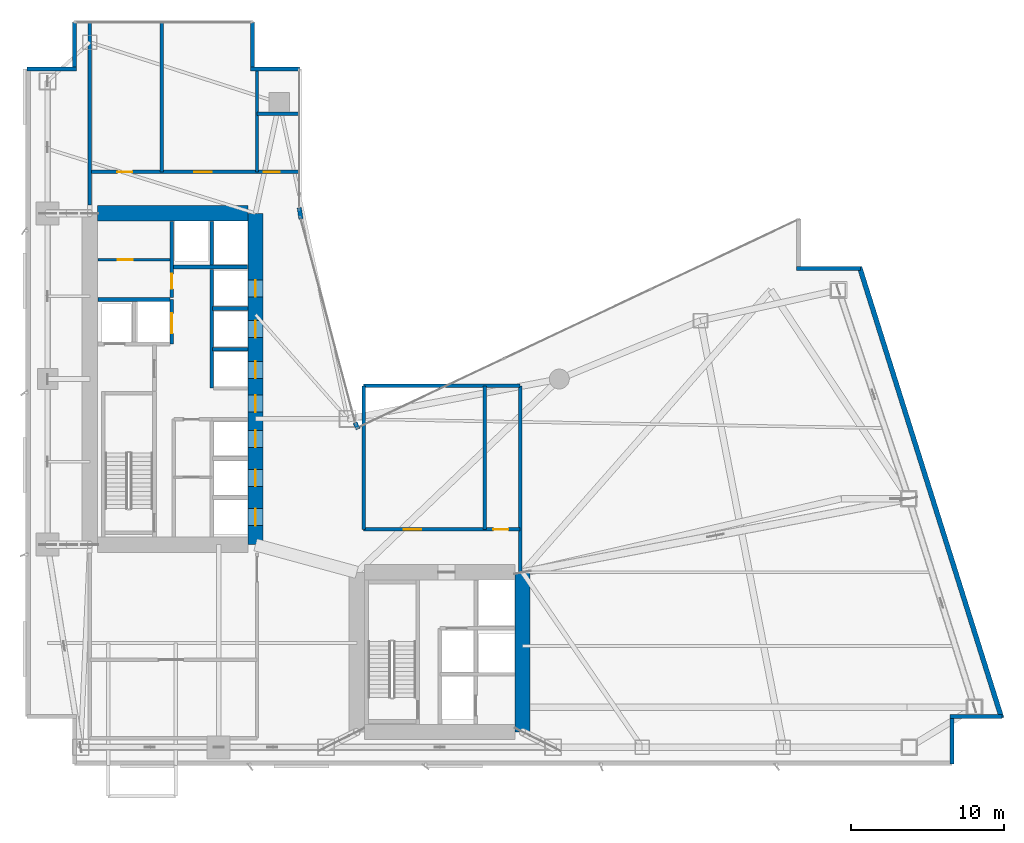
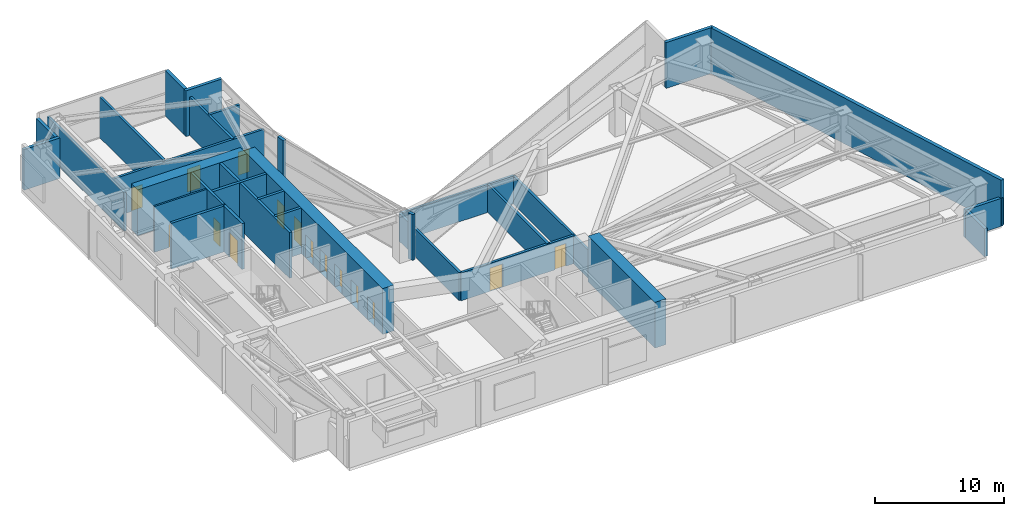
# One storey, part 15 of 18: 32 walls, 15 doors, 15 openings.
"""IFC4 building model written with IfcOpenShell, lengths in metres."""

from ifc_helpers import new_model, si_unit, direction, frame, frame_2d, origin, place, context, subcontext, project, spatial, rectangle, extrude, material, layer, layer_set, type_object, element, fill, save


model = new_model("IFC4")

# Units and contexts
model_context = context("Model", 3, precision=1e-05, world=origin(), true_north=direction((0.0, 1.0)))
body_context = subcontext(model_context, "Body", "Model", "MODEL_VIEW")
ifc_project = project(units=[si_unit("LENGTHUNIT", "METRE"), si_unit("AREAUNIT", "SQUARE_METRE"), si_unit("VOLUMEUNIT", "CUBIC_METRE"), si_unit("PLANEANGLEUNIT", "RADIAN"), si_unit("MASSUNIT", "GRAM", prefix="KILO")], contexts=[model_context])

# Site, building, storey
site_placement = place(None, origin())
site = spatial("IfcSite", under=ifc_project, at=site_placement, CompositionType="ELEMENT")
building_placement = place(site_placement, origin())
building = spatial("IfcBuilding", under=site, at=building_placement, Name="Calvorn Quay Hotel", CompositionType="ELEMENT")
storey_placement = place(building_placement, frame((0.0, 0.0, 92.60009765625)))
storey = spatial("IfcBuildingStorey", under=building, at=storey_placement, Name="L22", CompositionType="ELEMENT", Elevation=92.60009765625)

# Wall, openings, doors
ifc_material_1 = material(Name="Concrete C60", Category="concrete")
ifc_layer_1 = layer(ifc_material_1, 1.0)
ifc_layer_set_1 = layer_set([ifc_layer_1], Name="WL-CORE-1000")
wall_type_1 = type_object("IfcWallType", Name="WL-CORE-1000", PredefinedType="SHEAR", material=ifc_layer_set_1)
wall_1_placement = place(storey_placement, frame((15.0, 16.800048828125, 0.0), z_axis=(0.0, 0.0, 1.0), x_axis=(0.0, 1.0, 0.0)))
wall_1 = element("IfcWall", 1, at=wall_1_placement, inside=storey, type_object=wall_type_1, Name="West Core Shear Wall E (L22)", PredefinedType="SHEAR", context=body_context, shape_type="SweptSolid", body=[
    extrude(rectangle(XDim=21.599853515625, YDim=1.0, at=frame_2d((10.7998046875, 0.0))), origin(), (0.0, 0.0, 1.0), 4.349853515625),
])
opening_1_placement = place(wall_1_placement, frame((8.64990234375, 0.0, 0.0)))
opening_1 = element("IfcOpeningElement", 2, at=opening_1_placement, cuts=wall_1, Name="Opening D-L22-CW1", PredefinedType="OPENING", context=body_context, shape_type="SweptSolid", body=[
    extrude(rectangle(XDim=1.10009765625, YDim=2.199951171875, at=frame_2d((0.550048828125, 1.10009765625))), frame((0.0, 0.510009765625, 0.0), z_axis=(0.0, -1.0, 0.0), x_axis=(1.0, 0.0, 0.0)), (0.0, 0.0, 1.0), 1.02001953125),
])
opening_2_placement = place(wall_1_placement, frame((1.25, 0.0, 0.0)))
opening_2 = element("IfcOpeningElement", 3, at=opening_2_placement, cuts=wall_1, Name="Opening LD-L22-L1", PredefinedType="OPENING", context=body_context, shape_type="SweptSolid", body=[
    extrude(rectangle(XDim=1.10009765625, YDim=2.199951171875, at=frame_2d((0.550048828125, 1.10009765625))), frame((0.0, 0.510009765625, 0.0), z_axis=(0.0, -1.0, 0.0), x_axis=(1.0, 0.0, 0.0)), (0.0, 0.0, 1.0), 1.02001953125),
])
opening_3_placement = place(wall_1_placement, frame((3.800048828125, 0.0, 0.0)))
opening_3 = element("IfcOpeningElement", 4, at=opening_3_placement, cuts=wall_1, Name="Opening LD-L22-L2", PredefinedType="OPENING", context=body_context, shape_type="SweptSolid", body=[
    extrude(rectangle(XDim=1.10009765625, YDim=2.199951171875, at=frame_2d((0.550048828125, 1.10009765625))), frame((0.0, 0.510009765625, 0.0), z_axis=(0.0, -1.0, 0.0), x_axis=(1.0, 0.0, 0.0)), (0.0, 0.0, 1.0), 1.02001953125),
])
opening_4_placement = place(wall_1_placement, frame((6.35009765625, 0.0, 0.0)))
opening_4 = element("IfcOpeningElement", 5, at=opening_4_placement, cuts=wall_1, Name="Opening LD-L22-L3", PredefinedType="OPENING", context=body_context, shape_type="SweptSolid", body=[
    extrude(rectangle(XDim=1.10009765625, YDim=2.199951171875, at=frame_2d((0.550048828125, 1.10009765625))), frame((0.0, 0.510009765625, 0.0), z_axis=(0.0, -1.0, 0.0), x_axis=(1.0, 0.0, 0.0)), (0.0, 0.0, 1.0), 1.02001953125),
])
opening_5_placement = place(wall_1_placement, frame((10.85009765625, 0.0, 0.0)))
opening_5 = element("IfcOpeningElement", 6, at=opening_5_placement, cuts=wall_1, Name="Opening LD-L22-M1", PredefinedType="OPENING", context=body_context, shape_type="SweptSolid", body=[
    extrude(rectangle(XDim=1.10009765625, YDim=2.199951171875, at=frame_2d((0.550048828125, 1.10009765625))), frame((0.0, 0.510009765625, 0.0), z_axis=(0.0, -1.0, 0.0), x_axis=(1.0, 0.0, 0.0)), (0.0, 0.0, 1.0), 1.02001953125),
])
opening_6_placement = place(wall_1_placement, frame((13.5, 0.0, 0.0)))
opening_6 = element("IfcOpeningElement", 7, at=opening_6_placement, cuts=wall_1, Name="Opening LD-L22-M2", PredefinedType="OPENING", context=body_context, shape_type="SweptSolid", body=[
    extrude(rectangle(XDim=1.10009765625, YDim=2.199951171875, at=frame_2d((0.550048828125, 1.10009765625))), frame((0.0, 0.510009765625, 0.0), z_axis=(0.0, -1.0, 0.0), x_axis=(1.0, 0.0, 0.0)), (0.0, 0.0, 1.0), 1.02001953125),
])
opening_7_placement = place(wall_1_placement, frame((16.14990234375, 0.0, 0.0)))
opening_7 = element("IfcOpeningElement", 8, at=opening_7_placement, cuts=wall_1, Name="Opening LD-L22-M3", PredefinedType="OPENING", context=body_context, shape_type="SweptSolid", body=[
    extrude(rectangle(XDim=1.10009765625, YDim=2.199951171875, at=frame_2d((0.550048828125, 1.10009765625))), frame((0.0, 0.510009765625, 0.0), z_axis=(0.0, -1.0, 0.0), x_axis=(1.0, 0.0, 0.0)), (0.0, 0.0, 1.0), 1.02001953125),
])
ifc_material_2 = material(Name="Smoke-Sealed Steel Class A Fire Door", Category="steel")
door_type_1 = type_object("IfcDoorType", Name="DR-FFLOBBY-1100", OperationType="NOTDEFINED", PredefinedType="DOOR", material=ifc_material_2)
door_1_placement = place(opening_1_placement, origin())
door_1 = element("IfcDoor", 9, at=door_1_placement, inside=storey, type_object=door_type_1, Name="West Core Vestibule Fire Door (L22)", OperationType="SINGLE_SWING_LEFT", OverallHeight=2.199951171875, OverallWidth=1.10009765625, PredefinedType="DOOR", context=body_context, shape_type="SweptSolid", body=[
    extrude(rectangle(XDim=1.10009765625, YDim=2.199951171875, at=frame_2d((0.550048828125, 1.10009765625))), frame((0.0, 0.02490234375, 0.0), z_axis=(0.0, -1.0, 0.0), x_axis=(1.0, 0.0, 0.0)), (0.0, 0.0, 1.0), 0.050048828125),
])
fill(opening_1, door_1)
ifc_material_3 = material(Name="Brushed Stainless Steel Sliding Lift Landing Door", Category="steel")
door_type_2 = type_object("IfcDoorType", Name="DR-LIFT-PASS-1100", OperationType="NOTDEFINED", PredefinedType="DOOR", material=ifc_material_3)
door_2_placement = place(opening_2_placement, origin())
door_2 = element("IfcDoor", 10, at=door_2_placement, inside=storey, type_object=door_type_2, Name="Low-Rise Lift PL-L1 Landing Door (L22)", OperationType="DOUBLE_DOOR_SLIDING", OverallHeight=2.199951171875, OverallWidth=1.10009765625, PredefinedType="DOOR", context=body_context, shape_type="SweptSolid", body=[
    extrude(rectangle(XDim=1.10009765625, YDim=2.199951171875, at=frame_2d((0.550048828125, 1.10009765625))), frame((0.0, 0.02490234375, 0.0), z_axis=(0.0, -1.0, 0.0), x_axis=(1.0, 0.0, 0.0)), (0.0, 0.0, 1.0), 0.050048828125),
])
fill(opening_2, door_2)
door_3_placement = place(opening_3_placement, origin())
door_3 = element("IfcDoor", 11, at=door_3_placement, inside=storey, type_object=door_type_2, Name="Low-Rise Lift PL-L2 Landing Door (L22)", OperationType="DOUBLE_DOOR_SLIDING", OverallHeight=2.199951171875, OverallWidth=1.10009765625, PredefinedType="DOOR", context=body_context, shape_type="SweptSolid", body=[
    extrude(rectangle(XDim=1.10009765625, YDim=2.199951171875, at=frame_2d((0.550048828125, 1.10009765625))), frame((0.0, 0.02490234375, 0.0), z_axis=(0.0, -1.0, 0.0), x_axis=(1.0, 0.0, 0.0)), (0.0, 0.0, 1.0), 0.050048828125),
])
fill(opening_3, door_3)
door_4_placement = place(opening_4_placement, origin())
door_4 = element("IfcDoor", 12, at=door_4_placement, inside=storey, type_object=door_type_2, Name="Low-Rise Lift PL-L3 Landing Door (L22)", OperationType="DOUBLE_DOOR_SLIDING", OverallHeight=2.199951171875, OverallWidth=1.10009765625, PredefinedType="DOOR", context=body_context, shape_type="SweptSolid", body=[
    extrude(rectangle(XDim=1.10009765625, YDim=2.199951171875, at=frame_2d((0.550048828125, 1.10009765625))), frame((0.0, 0.02490234375, 0.0), z_axis=(0.0, -1.0, 0.0), x_axis=(1.0, 0.0, 0.0)), (0.0, 0.0, 1.0), 0.050048828125),
])
fill(opening_4, door_4)
door_5_placement = place(opening_5_placement, origin())
door_5 = element("IfcDoor", 13, at=door_5_placement, inside=storey, type_object=door_type_2, Name="Mid-Rise Lift PL-M1 Landing Door (L22)", OperationType="DOUBLE_DOOR_SLIDING", OverallHeight=2.199951171875, OverallWidth=1.10009765625, PredefinedType="DOOR", context=body_context, shape_type="SweptSolid", body=[
    extrude(rectangle(XDim=1.10009765625, YDim=2.199951171875, at=frame_2d((0.550048828125, 1.10009765625))), frame((0.0, 0.02490234375, 0.0), z_axis=(0.0, -1.0, 0.0), x_axis=(1.0, 0.0, 0.0)), (0.0, 0.0, 1.0), 0.050048828125),
])
fill(opening_5, door_5)
door_6_placement = place(opening_6_placement, origin())
door_6 = element("IfcDoor", 14, at=door_6_placement, inside=storey, type_object=door_type_2, Name="Mid-Rise Lift PL-M2 Landing Door (L22)", OperationType="DOUBLE_DOOR_SLIDING", OverallHeight=2.199951171875, OverallWidth=1.10009765625, PredefinedType="DOOR", context=body_context, shape_type="SweptSolid", body=[
    extrude(rectangle(XDim=1.10009765625, YDim=2.199951171875, at=frame_2d((0.550048828125, 1.10009765625))), frame((0.0, 0.02490234375, 0.0), z_axis=(0.0, -1.0, 0.0), x_axis=(1.0, 0.0, 0.0)), (0.0, 0.0, 1.0), 0.050048828125),
])
fill(opening_6, door_6)
door_7_placement = place(opening_7_placement, origin())
door_7 = element("IfcDoor", 15, at=door_7_placement, inside=storey, type_object=door_type_2, Name="Mid-Rise Lift PL-M3 Landing Door (L22)", OperationType="DOUBLE_DOOR_SLIDING", OverallHeight=2.199951171875, OverallWidth=1.10009765625, PredefinedType="DOOR", context=body_context, shape_type="SweptSolid", body=[
    extrude(rectangle(XDim=1.10009765625, YDim=2.199951171875, at=frame_2d((0.550048828125, 1.10009765625))), frame((0.0, 0.02490234375, 0.0), z_axis=(0.0, -1.0, 0.0), x_axis=(1.0, 0.0, 0.0)), (0.0, 0.0, 1.0), 0.050048828125),
])
fill(opening_7, door_7)

# Walls
wall_2_placement = place(storey_placement, frame((4.699951171875, 38.39990234375, 0.0), z_axis=(0.0, 0.0, 1.0), x_axis=(1.0, 0.0, 0.0)))
element("IfcWall", 16, at=wall_2_placement, inside=storey, type_object=wall_type_1, Name="West Core Shear Wall N (L22)", PredefinedType="SHEAR", context=body_context, shape_type="SweptSolid", body=[
    extrude(rectangle(XDim=9.800048828125, YDim=1.0, at=frame_2d((4.89990234375, 0.0))), origin(), (0.0, 0.0, 1.0), 4.349853515625),
])
wall_3_placement = place(storey_placement, frame((32.39990234375, 4.60009765625, 0.0), z_axis=(0.0, 0.0, 1.0), x_axis=(0.0, 1.0, 0.0)))
element("IfcWall", 17, at=wall_3_placement, inside=storey, type_object=wall_type_1, Name="East Core Shear Wall E (L22)", PredefinedType="SHEAR", context=body_context, shape_type="SweptSolid", body=[
    extrude(rectangle(XDim=10.39990234375, YDim=1.0, at=frame_2d((5.199951171875, 0.0))), origin(), (0.0, 0.0, 1.0), 4.349853515625),
])
ifc_material_4 = material(Name="Concrete C40", Category="concrete")
ifc_layer_2 = layer(ifc_material_4, 0.320068359375)
ifc_layer_set_2 = layer_set([ifc_layer_2], Name="WL-EXT-SPANDREL-320")
wall_type_2 = type_object("IfcWallType", Name="WL-EXT-SPANDREL-320", PredefinedType="SOLIDWALL", material=ifc_layer_set_2)
wall_4_placement = place(storey_placement, frame((21.679931640625, 24.340087890625, 0.0), z_axis=(0.0, 0.0, 1.0), x_axis=(-0.40758134973, 0.913168901875, 0.0)))
element("IfcWall", 18, at=wall_4_placement, inside=storey, type_object=wall_type_2, Name="Inner Court Corner Pier L22-ICJ1", PredefinedType="SOLIDWALL", context=body_context, shape_type="SweptSolid", body=[
    extrude(rectangle(XDim=0.470703125, YDim=0.280029296875, at=frame_2d((0.2353515625, 0.0))), origin(), (0.0, 0.0, 1.0), 4.349853515625),
])
wall_5_placement = place(storey_placement, frame((17.9619140625, 38.030029296875, 0.0), z_axis=(0.0, 0.0, 1.0), x_axis=(-0.15141125477, 0.988470855377, 0.0)))
element("IfcWall", 19, at=wall_5_placement, inside=storey, type_object=wall_type_2, Name="Inner Court Corner Pier L22-ICJ2", PredefinedType="SOLIDWALL", context=body_context, shape_type="SweptSolid", body=[
    extrude(rectangle(XDim=0.738525390625, YDim=0.280029296875, at=frame_2d((0.369140625, 0.0))), origin(), (0.0, 0.0, 1.0), 4.349853515625),
])
wall_6_placement = place(storey_placement, frame((60.39990234375, 2.52001953125, 0.0), z_axis=(0.0, 0.0, 1.0), x_axis=(0.0, 1.0, 0.0)))
element("IfcWall", 20, at=wall_6_placement, inside=storey, type_object=wall_type_2, Name="Notched Corner Spandrel L22-SE1", PredefinedType="SOLIDWALL", context=body_context, shape_type="SweptSolid", body=[
    extrude(rectangle(XDim=2.93994140625, YDim=0.280029296875, at=frame_2d((1.469970703125, 0.0))), origin(), (0.0, 0.0, 1.0), 2.64990234375),
])
wall_7_placement = place(storey_placement, frame((60.260009765625, 5.60009765625, 0.0), z_axis=(0.0, 0.0, 1.0), x_axis=(1.0, 0.0, 0.0)))
element("IfcWall", 21, at=wall_7_placement, inside=storey, type_object=wall_type_2, Name="Notched Corner Spandrel L22-SE2", PredefinedType="SOLIDWALL", context=body_context, shape_type="SweptSolid", body=[
    extrude(rectangle(XDim=3.3798828125, YDim=0.280029296875, at=frame_2d((1.68994140625, 0.0))), origin(), (0.0, 0.0, 1.0), 2.64990234375),
])
wall_8_placement = place(storey_placement, frame((54.43994140625, 34.800048828125, 0.0), z_axis=(0.0, 0.0, 1.0), x_axis=(-1.0, 0.0, 0.0)))
element("IfcWall", 22, at=wall_8_placement, inside=storey, type_object=wall_type_2, Name="Notched Corner Spandrel L22-NE1", PredefinedType="SOLIDWALL", context=body_context, shape_type="SweptSolid", body=[
    extrude(rectangle(XDim=4.179931640625, YDim=0.280029296875, at=frame_2d((2.08984375, 0.0))), origin(), (0.0, 0.0, 1.0), 4.349853515625),
])
wall_9_placement = place(storey_placement, frame((17.89990234375, 47.800048828125, 0.0), z_axis=(0.0, 0.0, 1.0), x_axis=(-1.0, 0.0, 0.0)))
element("IfcWall", 23, at=wall_9_placement, inside=storey, type_object=wall_type_2, Name="Notched Corner Spandrel L22-NWE1", PredefinedType="SOLIDWALL", context=body_context, shape_type="SweptSolid", body=[
    extrude(rectangle(XDim=3.239990234375, YDim=0.280029296875, at=frame_2d((1.6201171875, 0.0))), origin(), (0.0, 0.0, 1.0), 4.349853515625),
])
wall_10_placement = place(storey_placement, frame((14.800048828125, 47.93994140625, 0.0), z_axis=(0.0, 0.0, 1.0), x_axis=(0.0, 1.0, 0.0)))
element("IfcWall", 24, at=wall_10_placement, inside=storey, type_object=wall_type_2, Name="Notched Corner Spandrel L22-NWE2", PredefinedType="SOLIDWALL", context=body_context, shape_type="SweptSolid", body=[
    extrude(rectangle(XDim=2.93994140625, YDim=0.280029296875, at=frame_2d((1.469970703125, 0.0))), origin(), (0.0, 0.0, 1.0), 4.349853515625),
])
wall_11_placement = place(storey_placement, frame((3.199951171875, 50.8798828125, 0.0), z_axis=(0.0, 0.0, 1.0), x_axis=(0.0, -1.0, 0.0)))
element("IfcWall", 25, at=wall_11_placement, inside=storey, type_object=wall_type_2, Name="Notched Corner Spandrel L22-NW1", PredefinedType="SOLIDWALL", context=body_context, shape_type="SweptSolid", body=[
    extrude(rectangle(XDim=2.93994140625, YDim=0.280029296875, at=frame_2d((1.469970703125, 0.0))), origin(), (0.0, 0.0, 1.0), 3.849853515625),
])
wall_12_placement = place(storey_placement, frame((3.340087890625, 47.800048828125, 0.0), z_axis=(0.0, 0.0, 1.0), x_axis=(-1.0, 0.0, 0.0)))
element("IfcWall", 26, at=wall_12_placement, inside=storey, type_object=wall_type_2, Name="Notched Corner Spandrel L22-NW2", PredefinedType="SOLIDWALL", context=body_context, shape_type="SweptSolid", body=[
    extrude(rectangle(XDim=3.219970703125, YDim=0.280029296875, at=frame_2d((1.60986328125, 0.0))), origin(), (0.0, 0.0, 1.0), 3.849853515625),
])
wall_13_placement = place(storey_placement, frame((63.6298828125, 5.5048828125, 0.0), z_axis=(0.0, 0.0, 1.0), x_axis=(-0.300501856448, 0.953781229775, 0.0)))
element("IfcWall", 27, at=wall_13_placement, inside=storey, type_object=wall_type_2, Name="East Stepped Waterfront Exterior Wall (L22)", PredefinedType="SOLIDWALL", context=body_context, shape_type="SweptSolid", body=[
    extrude(rectangle(XDim=30.814453125, YDim=0.320068359375, at=frame_2d((15.4072265625, 0.0))), origin(), (0.0, 0.0, 1.0), 4.349853515625),
])

# Wall, opening, door
ifc_material_5 = material(Name="Double-Stud Acoustic Gypsum Partition")
ifc_layer_3 = layer(ifc_material_5, 0.159912109375)
ifc_layer_set_3 = layer_set([ifc_layer_3], Name="WL-INTERSUITE-160")
wall_type_3 = type_object("IfcWallType", Name="WL-INTERSUITE-160", PredefinedType="PARTITIONING", material=ifc_layer_set_3)
wall_14_placement = place(storey_placement, frame((4.719970703125, 35.3798828125, 0.0), z_axis=(0.0, 0.0, 1.0), x_axis=(1.0, 0.0, 0.0)))
wall_14 = element("IfcWall", 28, at=wall_14_placement, inside=storey, type_object=wall_type_3, Name="Partition Wall L22-WL-CWW-K-MID", PredefinedType="PARTITIONING", context=body_context, shape_type="SweptSolid", body=[
    extrude(rectangle(XDim=4.699951171875, YDim=0.159912109375, at=frame_2d((2.35009765625, 0.0))), origin(), (0.0, 0.0, 1.0), 4.349853515625),
])
opening_8_placement = place(wall_14_placement, frame((1.300048828125, 0.0, 0.0)))
opening_8 = element("IfcOpeningElement", 29, at=opening_8_placement, cuts=wall_14, Name="Opening D-L22-CK2", PredefinedType="OPENING", context=body_context, shape_type="SweptSolid", body=[
    extrude(rectangle(XDim=0.97998046875, YDim=2.14990234375, at=frame_2d((0.489990234375, 1.074951171875))), frame((0.0, 0.08984375, 0.0), z_axis=(0.0, -1.0, 0.0), x_axis=(1.0, 0.0, 0.0)), (0.0, 0.0, 1.0), 0.179931640625),
])
ifc_material_6 = material(Name="Painted Steel Housekeeping/Riser Fire Door", Category="steel")
door_type_3 = type_object("IfcDoorType", Name="DR-SERVICE-980", OperationType="NOTDEFINED", PredefinedType="DOOR", material=ifc_material_6)
door_8_placement = place(opening_8_placement, origin())
door_8 = element("IfcDoor", 30, at=door_8_placement, inside=storey, type_object=door_type_3, Name="Electrical Riser Door (L22)", OperationType="SINGLE_SWING_RIGHT", OverallHeight=2.14990234375, OverallWidth=0.97998046875, PredefinedType="DOOR", context=body_context, shape_type="SweptSolid", body=[
    extrude(rectangle(XDim=0.97998046875, YDim=2.14990234375, at=frame_2d((0.489990234375, 1.074951171875))), frame((0.0, 0.02490234375, 0.0), z_axis=(0.0, -1.0, 0.0), x_axis=(1.0, 0.0, 0.0)), (0.0, 0.0, 1.0), 0.050048828125),
])
fill(opening_8, door_8)

ifc_material_7 = material(Name="Autoclaved Aerated Masonry Block", Category="masonry")
ifc_layer_4 = layer(ifc_material_7, 0.219970703125)
ifc_layer_set_4 = layer_set([ifc_layer_4], Name="WL-LOBBY-FIRE-220")
wall_type_4 = type_object("IfcWallType", Name="WL-LOBBY-FIRE-220", PredefinedType="SOLIDWALL", material=ifc_layer_set_4)
wall_15_placement = place(storey_placement, frame((9.5400390625, 32.919921875, 0.0), z_axis=(0.0, 0.0, 1.0), x_axis=(0.0, 1.0, 0.0)))
wall_15 = element("IfcWall", 31, at=wall_15_placement, inside=storey, type_object=wall_type_4, Name="Partition Wall L22-WL-CWW-K-E", PredefinedType="SOLIDWALL", context=body_context, shape_type="SweptSolid", body=[
    extrude(rectangle(XDim=4.9599609375, YDim=0.219970703125, at=frame_2d((2.47998046875, 0.0))), origin(), (0.0, 0.0, 1.0), 4.349853515625),
])
opening_9_placement = place(wall_15_placement, frame((0.550048828125, 0.0, 0.0)))
opening_9 = element("IfcOpeningElement", 32, at=opening_9_placement, cuts=wall_15, Name="Opening D-L22-CK1", PredefinedType="OPENING", context=body_context, shape_type="SweptSolid", body=[
    extrude(rectangle(XDim=0.97998046875, YDim=2.14990234375, at=frame_2d((0.489990234375, 1.074951171875))), frame((0.0, 0.119873046875, 0.0), z_axis=(0.0, -1.0, 0.0), x_axis=(1.0, 0.0, 0.0)), (0.0, 0.0, 1.0), 0.239990234375),
])
door_9_placement = place(opening_9_placement, origin())
door_9 = element("IfcDoor", 33, at=door_9_placement, inside=storey, type_object=door_type_3, Name="Core Housekeeping Door (L22)", OperationType="SINGLE_SWING_LEFT", OverallHeight=2.14990234375, OverallWidth=0.97998046875, PredefinedType="DOOR", context=body_context, shape_type="SweptSolid", body=[
    extrude(rectangle(XDim=0.97998046875, YDim=2.14990234375, at=frame_2d((0.489990234375, 1.074951171875))), frame((0.0, 0.02490234375, 0.0), z_axis=(0.0, -1.0, 0.0), x_axis=(1.0, 0.0, 0.0)), (0.0, 0.0, 1.0), 0.050048828125),
])
fill(opening_9, door_9)

# Walls
wall_16_placement = place(storey_placement, frame((4.199951171875, 38.949951171875, 0.0), z_axis=(0.0, 0.0, 1.0), x_axis=(0.0, 1.0, 0.0)))
element("IfcWall", 34, at=wall_16_placement, inside=storey, type_object=wall_type_4, Name="Partition Wall L22-WL-RF-BELT-NW", PredefinedType="SOLIDWALL", context=body_context, shape_type="SweptSolid", body=[
    extrude(rectangle(XDim=11.989990234375, YDim=0.219970703125, at=frame_2d((5.9951171875, 0.0))), origin(), (0.0, 0.0, 1.0), 3.64990234375),
])
wall_17_placement = place(storey_placement, frame((8.89990234375, 41.10009765625, 0.0), z_axis=(0.0, 0.0, 1.0), x_axis=(0.0, 1.0, 0.0)))
element("IfcWall", 35, at=wall_17_placement, inside=storey, type_object=wall_type_4, Name="Partition Wall L22-WL-RF-EL-E", PredefinedType="SOLIDWALL", context=body_context, shape_type="SweptSolid", body=[
    extrude(rectangle(XDim=9.83984375, YDim=0.219970703125, at=frame_2d((4.919921875, 0.0))), origin(), (0.0, 0.0, 1.0), 3.849853515625),
])

# Wall, openings, doors
wall_18_placement = place(storey_placement, frame((4.199951171875, 41.10009765625, 0.0), z_axis=(0.0, 0.0, 1.0), x_axis=(1.0, 0.0, 0.0)))
wall_18 = element("IfcWall", 36, at=wall_18_placement, inside=storey, type_object=wall_type_4, Name="Partition Wall L22-WL-RF-N-S", PredefinedType="SOLIDWALL", context=body_context, shape_type="SweptSolid", body=[
    extrude(rectangle(XDim=13.650146484375, YDim=0.219970703125, at=frame_2d((6.8251953125, 0.0))), origin(), (0.0, 0.0, 1.0), 3.64990234375),
])
opening_10_placement = place(wall_18_placement, frame((1.800048828125, 0.0, 0.0)))
opening_10 = element("IfcOpeningElement", 37, at=opening_10_placement, cuts=wall_18, Name="Opening D-L22-P3", PredefinedType="OPENING", context=body_context, shape_type="SweptSolid", body=[
    extrude(rectangle(XDim=0.97998046875, YDim=2.14990234375, at=frame_2d((0.489990234375, 1.074951171875))), frame((0.0, 0.119873046875, 0.0), z_axis=(0.0, -1.0, 0.0), x_axis=(1.0, 0.0, 0.0)), (0.0, 0.0, 1.0), 0.239990234375),
])
opening_11_placement = place(wall_18_placement, frame((6.800048828125, 0.0, 0.0)))
opening_11 = element("IfcOpeningElement", 38, at=opening_11_placement, cuts=wall_18, Name="Opening D-L22-RF1", PredefinedType="OPENING", context=body_context, shape_type="SweptSolid", body=[
    extrude(rectangle(XDim=1.14990234375, YDim=2.199951171875, at=frame_2d((0.574951171875, 1.10009765625))), frame((0.0, 0.119873046875, 0.0), z_axis=(0.0, -1.0, 0.0), x_axis=(1.0, 0.0, 0.0)), (0.0, 0.0, 1.0), 0.239990234375),
])
opening_12_placement = place(wall_18_placement, frame((11.35009765625, 0.0, 0.0)))
opening_12 = element("IfcOpeningElement", 39, at=opening_12_placement, cuts=wall_18, Name="Opening D-L22-RFW", PredefinedType="OPENING", context=body_context, shape_type="SweptSolid", body=[
    extrude(rectangle(XDim=1.02001953125, YDim=2.199951171875, at=frame_2d((0.510009765625, 1.10009765625))), frame((0.0, 0.119873046875, 0.0), z_axis=(0.0, -1.0, 0.0), x_axis=(1.0, 0.0, 0.0)), (0.0, 0.0, 1.0), 0.239990234375),
])
ifc_material_8 = material(Name="Solid-Core Walnut Veneer Hotel Fire Door")
door_type_4 = type_object("IfcDoorType", Name="DR-GUEST-ENTRY-1020", OperationType="NOTDEFINED", PredefinedType="DOOR", material=ifc_material_8)
door_10_placement = place(opening_12_placement, origin())
door_10 = element("IfcDoor", 40, at=door_10_placement, inside=storey, type_object=door_type_4, Name="Refuge Accessible WC Door", OperationType="SINGLE_SWING_RIGHT", OverallHeight=2.199951171875, OverallWidth=1.02001953125, PredefinedType="DOOR", context=body_context, shape_type="SweptSolid", body=[
    extrude(rectangle(XDim=1.02001953125, YDim=2.199951171875, at=frame_2d((0.510009765625, 1.10009765625))), frame((0.0, 0.02490234375, 0.0), z_axis=(0.0, -1.0, 0.0), x_axis=(1.0, 0.0, 0.0)), (0.0, 0.0, 1.0), 0.050048828125),
])
fill(opening_12, door_10)
door_11_placement = place(opening_10_placement, origin())
door_11 = element("IfcDoor", 41, at=door_11_placement, inside=storey, type_object=door_type_3, Name="Electrical Substation Door", OperationType="SINGLE_SWING_LEFT", OverallHeight=2.14990234375, OverallWidth=0.97998046875, PredefinedType="DOOR", context=body_context, shape_type="SweptSolid", body=[
    extrude(rectangle(XDim=0.97998046875, YDim=2.14990234375, at=frame_2d((0.489990234375, 1.074951171875))), frame((0.0, 0.02490234375, 0.0), z_axis=(0.0, -1.0, 0.0), x_axis=(1.0, 0.0, 0.0)), (0.0, 0.0, 1.0), 0.050048828125),
])
fill(opening_10, door_11)
ifc_material_9 = material(Name="Galvanised Steel Class A Fire Door", Category="steel")
door_type_5 = type_object("IfcDoorType", Name="DR-STAIR-SMOKE-1150", OperationType="NOTDEFINED", PredefinedType="DOOR", material=ifc_material_9)
door_12_placement = place(opening_11_placement, origin())
door_12 = element("IfcDoor", 42, at=door_12_placement, inside=storey, type_object=door_type_5, Name="North Refuge Area Fire Door", OperationType="SINGLE_SWING_LEFT", OverallHeight=2.199951171875, OverallWidth=1.14990234375, PredefinedType="DOOR", context=body_context, shape_type="SweptSolid", body=[
    extrude(rectangle(XDim=1.14990234375, YDim=2.199951171875, at=frame_2d((0.574951171875, 1.10009765625))), frame((0.0, 0.02490234375, 0.0), z_axis=(0.0, -1.0, 0.0), x_axis=(1.0, 0.0, 0.0)), (0.0, 0.0, 1.0), 0.050048828125),
])
fill(opening_11, door_12)

# Walls
wall_19_placement = place(storey_placement, frame((15.10009765625, 41.10009765625, 0.0), z_axis=(0.0, 0.0, 1.0), x_axis=(0.0, 1.0, 0.0)))
element("IfcWall", 43, at=wall_19_placement, inside=storey, type_object=wall_type_4, Name="Partition Wall L22-WL-RF-WC-W", PredefinedType="SOLIDWALL", context=body_context, shape_type="SweptSolid", body=[
    extrude(rectangle(XDim=6.699951171875, YDim=0.219970703125, at=frame_2d((3.35009765625, 0.0))), origin(), (0.0, 0.0, 1.0), 3.64990234375),
])
wall_20_placement = place(storey_placement, frame((15.10009765625, 44.89990234375, 0.0), z_axis=(0.0, 0.0, 1.0), x_axis=(1.0, 0.0, 0.0)))
element("IfcWall", 44, at=wall_20_placement, inside=storey, type_object=wall_type_4, Name="Partition Wall L22-WL-RF-WC-N", PredefinedType="SOLIDWALL", context=body_context, shape_type="SweptSolid", body=[
    extrude(rectangle(XDim=2.75, YDim=0.219970703125, at=frame_2d((1.375, 0.0))), origin(), (0.0, 0.0, 1.0), 3.64990234375),
])

# Wall, openings, doors
wall_21_placement = place(storey_placement, frame((22.050048828125, 17.800048828125, 0.0), z_axis=(0.0, 0.0, 1.0), x_axis=(1.0, 0.0, 0.0)))
wall_21 = element("IfcWall", 45, at=wall_21_placement, inside=storey, type_object=wall_type_4, Name="Partition Wall L22-WL-RF-C-S", PredefinedType="SOLIDWALL", context=body_context, shape_type="SweptSolid", body=[
    extrude(rectangle(XDim=10.199951171875, YDim=0.219970703125, at=frame_2d((5.10009765625, 0.0))), origin(), (0.0, 0.0, 1.0), 2.64990234375),
])
opening_13_placement = place(wall_21_placement, frame((2.60009765625, 0.0, 0.0)))
opening_13 = element("IfcOpeningElement", 46, at=opening_13_placement, cuts=wall_21, Name="Opening D-L22-RF2", PredefinedType="OPENING", context=body_context, shape_type="SweptSolid", body=[
    extrude(rectangle(XDim=1.14990234375, YDim=2.199951171875, at=frame_2d((0.574951171875, 1.10009765625))), frame((0.0, 0.119873046875, 0.0), z_axis=(0.0, -1.0, 0.0), x_axis=(1.0, 0.0, 0.0)), (0.0, 0.0, 1.0), 0.239990234375),
])
opening_14_placement = place(wall_21_placement, frame((8.449951171875, 0.0, 0.0)))
opening_14 = element("IfcOpeningElement", 47, at=opening_14_placement, cuts=wall_21, Name="Opening D-L22-P4", PredefinedType="OPENING", context=body_context, shape_type="SweptSolid", body=[
    extrude(rectangle(XDim=0.97998046875, YDim=2.14990234375, at=frame_2d((0.489990234375, 1.074951171875))), frame((0.0, 0.119873046875, 0.0), z_axis=(0.0, -1.0, 0.0), x_axis=(1.0, 0.0, 0.0)), (0.0, 0.0, 1.0), 0.239990234375),
])
door_13_placement = place(opening_14_placement, origin())
door_13 = element("IfcDoor", 48, at=door_13_placement, inside=storey, type_object=door_type_3, Name="Pressurization Fan Plant Door", OperationType="SINGLE_SWING_RIGHT", OverallHeight=2.14990234375, OverallWidth=0.97998046875, PredefinedType="DOOR", context=body_context, shape_type="SweptSolid", body=[
    extrude(rectangle(XDim=0.97998046875, YDim=2.14990234375, at=frame_2d((0.489990234375, 1.074951171875))), frame((0.0, 0.02490234375, 0.0), z_axis=(0.0, -1.0, 0.0), x_axis=(1.0, 0.0, 0.0)), (0.0, 0.0, 1.0), 0.050048828125),
])
fill(opening_14, door_13)
door_14_placement = place(opening_13_placement, origin())
door_14 = element("IfcDoor", 49, at=door_14_placement, inside=storey, type_object=door_type_5, Name="Harbour Refuge Area Fire Door", OperationType="SINGLE_SWING_LEFT", OverallHeight=2.199951171875, OverallWidth=1.14990234375, PredefinedType="DOOR", context=body_context, shape_type="SweptSolid", body=[
    extrude(rectangle(XDim=1.14990234375, YDim=2.199951171875, at=frame_2d((0.574951171875, 1.10009765625))), frame((0.0, 0.02490234375, 0.0), z_axis=(0.0, -1.0, 0.0), x_axis=(1.0, 0.0, 0.0)), (0.0, 0.0, 1.0), 0.050048828125),
])
fill(opening_13, door_14)

# Walls
for number, where, z_axis, x_axis, name in (
    (50, (29.949951171875, 17.800048828125, 0.0), (0.0, 0.0, 1.0), (0.0, 1.0, 0.0), "Partition Wall L22-WL-RF-C-DIV"),
    (51, (22.050048828125, 17.800048828125, 0.0), (0.0, 0.0, 1.0), (0.0, 1.0, 0.0), "Partition Wall L22-WL-RF-C-W"),
):
    element("IfcWall", number, at=place(storey_placement, frame(where, z_axis=z_axis, x_axis=x_axis)), inside=storey, type_object=wall_type_4, Name=name, PredefinedType="SOLIDWALL", context=body_context, shape_type="SweptSolid", body=[
        extrude(rectangle(XDim=9.349853515625, YDim=0.219970703125, at=frame_2d((4.6748046875, 0.0))), origin(), (0.0, 0.0, 1.0), 2.64990234375),
    ])
wall_22_placement = place(storey_placement, frame((32.25, 15.0, 0.0), z_axis=(0.0, 0.0, 1.0), x_axis=(0.0, 1.0, 0.0)))
element("IfcWall", 52, at=wall_22_placement, inside=storey, type_object=wall_type_4, Name="Partition Wall L22-WL-RF-C-E", PredefinedType="SOLIDWALL", context=body_context, shape_type="SweptSolid", body=[
    extrude(rectangle(XDim=12.14990234375, YDim=0.219970703125, at=frame_2d((6.074951171875, 0.0))), origin(), (0.0, 0.0, 1.0), 2.64990234375),
])
wall_23_placement = place(storey_placement, frame((22.050048828125, 27.14990234375, 0.0), z_axis=(0.0, 0.0, 1.0), x_axis=(1.0, 0.0, 0.0)))
element("IfcWall", 53, at=wall_23_placement, inside=storey, type_object=wall_type_4, Name="Partition Wall L22-WL-RF-C-N", PredefinedType="SOLIDWALL", context=body_context, shape_type="SweptSolid", body=[
    extrude(rectangle(XDim=10.199951171875, YDim=0.219970703125, at=frame_2d((5.10009765625, 0.0))), origin(), (0.0, 0.0, 1.0), 2.64990234375),
])
ifc_material_10 = material(Name="Concrete C40", Category="concrete")
ifc_layer_5 = layer(ifc_material_10, 0.239990234375)
ifc_layer_set_5 = layer_set([ifc_layer_5], Name="WL-SHAFT-240")
wall_type_5 = type_object("IfcWallType", Name="WL-SHAFT-240", PredefinedType="SOLIDWALL", material=ifc_layer_set_5)
for number, where, z_axis, x_axis, name in (
    (54, (12.179931640625, 29.550048828125, 0.0), (0.0, 0.0, 1.0), (1.0, 0.0, 0.0), "Lift Hoistway Divider Wall PLM12 (L22)"),
    (55, (12.179931640625, 32.199951171875, 0.0), (0.0, 0.0, 1.0), (1.0, 0.0, 0.0), "Lift Hoistway Divider Wall PLM23 (L22)"),
):
    element("IfcWall", number, at=place(storey_placement, frame(where, z_axis=z_axis, x_axis=x_axis)), inside=storey, type_object=wall_type_5, Name=name, PredefinedType="SOLIDWALL", context=body_context, shape_type="SweptSolid", body=[
        extrude(rectangle(XDim=2.320068359375, YDim=0.239990234375, at=frame_2d((1.16015625, 0.0))), origin(), (0.0, 0.0, 1.0), 4.349853515625),
    ])

# Wall, opening, door
wall_24_placement = place(storey_placement, frame((9.5400390625, 29.8798828125, 0.0), z_axis=(0.0, 0.0, 1.0), x_axis=(0.0, 1.0, 0.0)))
wall_24 = element("IfcWall", 56, at=wall_24_placement, inside=storey, type_object=wall_type_5, Name="Partition Wall L22-WL-CWW-SLW-E", PredefinedType="SOLIDWALL", context=body_context, shape_type="SweptSolid", body=[
    extrude(rectangle(XDim=2.900146484375, YDim=0.239990234375, at=frame_2d((1.4501953125, 0.0))), origin(), (0.0, 0.0, 1.0), 4.349853515625),
])
opening_15_placement = place(wall_24_placement, frame((0.699951171875, 0.0, 0.0)))
opening_15 = element("IfcOpeningElement", 57, at=opening_15_placement, cuts=wall_24, Name="Opening LD-L22-SLW1", PredefinedType="OPENING", context=body_context, shape_type="SweptSolid", body=[
    extrude(rectangle(XDim=1.300048828125, YDim=2.35009765625, at=frame_2d((0.64990234375, 1.175048828125))), frame((0.0, 0.1298828125, 0.0), z_axis=(0.0, -1.0, 0.0), x_axis=(1.0, 0.0, 0.0)), (0.0, 0.0, 1.0), 0.260009765625),
])
ifc_material_11 = material(Name="Champagne-Bronze Sliding Express Lift Landing Door")
door_type_6 = type_object("IfcDoorType", Name="DR-LIFT-SHUTTLE-1300", OperationType="NOTDEFINED", PredefinedType="DOOR", material=ifc_material_11)
door_15_placement = place(opening_15_placement, origin())
door_15 = element("IfcDoor", 58, at=door_15_placement, inside=storey, type_object=door_type_6, Name="Service Lift SL-W1 Landing Door (L22)", OperationType="DOUBLE_DOOR_SLIDING", OverallHeight=2.35009765625, OverallWidth=1.300048828125, PredefinedType="DOOR", context=body_context, shape_type="SweptSolid", body=[
    extrude(rectangle(XDim=1.300048828125, YDim=2.35009765625, at=frame_2d((0.64990234375, 1.175048828125))), frame((0.0, 0.02490234375, 0.0), z_axis=(0.0, -1.0, 0.0), x_axis=(1.0, 0.0, 0.0)), (0.0, 0.0, 1.0), 0.050048828125),
])
fill(opening_15, door_15)

# Walls
wall_25_placement = place(storey_placement, frame((4.719970703125, 32.780029296875, 0.0), z_axis=(0.0, 0.0, 1.0), x_axis=(1.0, 0.0, 0.0)))
element("IfcWall", 59, at=wall_25_placement, inside=storey, type_object=wall_type_5, Name="Partition Wall L22-WL-CWW-SLW-N", PredefinedType="SOLIDWALL", context=body_context, shape_type="SweptSolid", body=[
    extrude(rectangle(XDim=4.699951171875, YDim=0.239990234375, at=frame_2d((2.35009765625, 0.0))), origin(), (0.0, 0.0, 1.0), 4.349853515625),
])
wall_26_placement = place(storey_placement, frame((12.14990234375, 27.0, 0.0), z_axis=(0.0, 0.0, 1.0), x_axis=(0.0, 1.0, 0.0)))
element("IfcWall", 60, at=wall_26_placement, inside=storey, type_object=wall_type_5, Name="Partition Wall L22-WL-CWW-PLM-W", PredefinedType="SOLIDWALL", context=body_context, shape_type="SweptSolid", body=[
    extrude(rectangle(XDim=7.75, YDim=0.239990234375, at=frame_2d((3.875, 0.0))), origin(), (0.0, 0.0, 1.0), 4.349853515625),
])
wall_27_placement = place(storey_placement, frame((9.659912109375, 34.89990234375, 0.0), z_axis=(0.0, 0.0, 1.0), x_axis=(1.0, 0.0, 0.0)))
element("IfcWall", 61, at=wall_27_placement, inside=storey, type_object=wall_type_5, Name="Partition Wall L22-WL-CWW-PLH-S", PredefinedType="SOLIDWALL", context=body_context, shape_type="SweptSolid", body=[
    extrude(rectangle(XDim=4.820068359375, YDim=0.239990234375, at=frame_2d((2.41015625, 0.0))), origin(), (0.0, 0.0, 1.0), 4.349853515625),
])
wall_28_placement = place(storey_placement, frame((12.14990234375, 35.02001953125, 0.0), z_axis=(0.0, 0.0, 1.0), x_axis=(0.0, 1.0, 0.0)))
element("IfcWall", 62, at=wall_28_placement, inside=storey, type_object=wall_type_5, Name="Partition Wall L22-WL-CWW-PLH-DIV", PredefinedType="SOLIDWALL", context=body_context, shape_type="SweptSolid", body=[
    extrude(rectangle(XDim=2.85986328125, YDim=0.239990234375, at=frame_2d((1.429931640625, 0.0))), origin(), (0.0, 0.0, 1.0), 4.349853515625),
])

save(model, "model.ifc")
